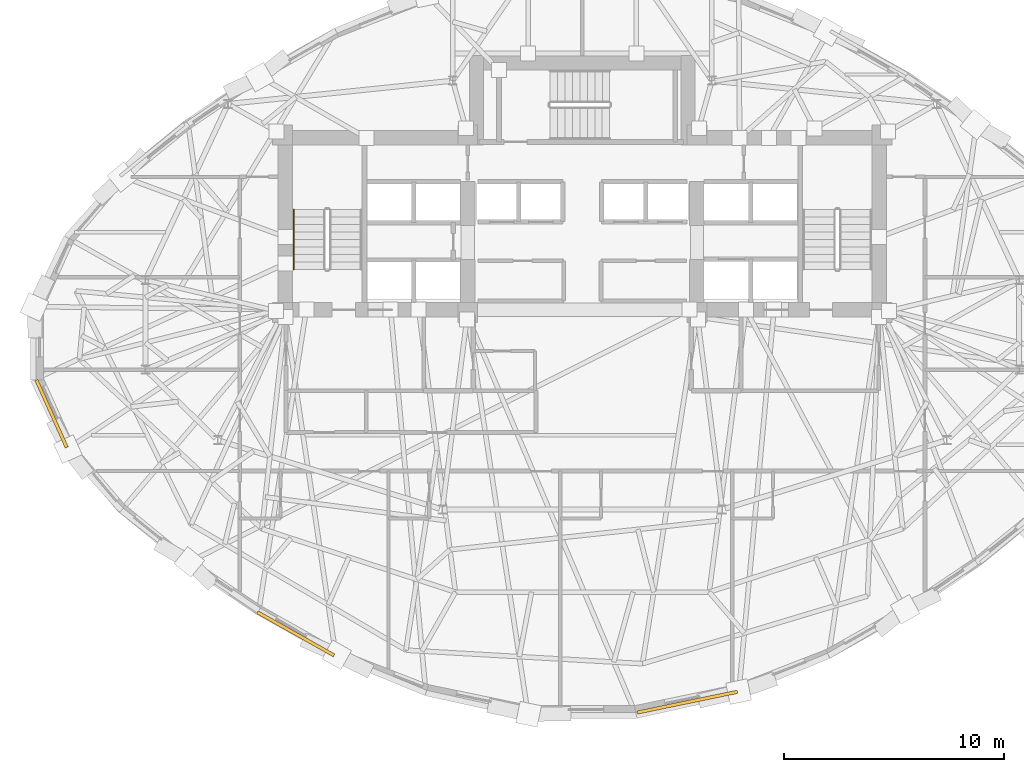
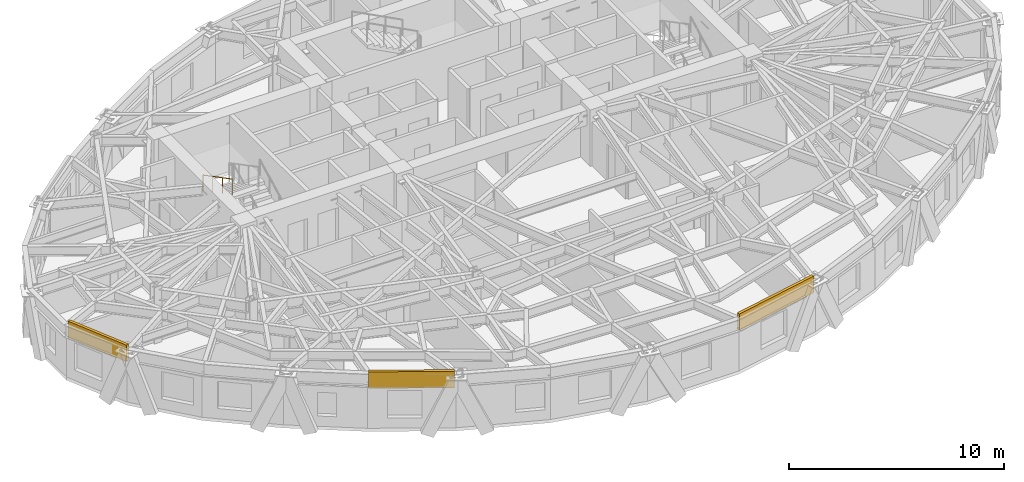
# One storey, part 11 of 14: 3 coverings, 1 railing.
"""IFC4 building model written with IfcOpenShell, lengths in metres."""

from ifc_helpers import new_model, si_unit, direction, frame, origin, origin_2d, place, context, subcontext, project, spatial, rectangle, circle, extrude, material, layer, layer_set, type_object, element, save


model = new_model("IFC4")

# Units and contexts
model_context = context("Model", 3, precision=1e-05, world=origin(), true_north=direction((0.0, 1.0)))
body_context = subcontext(model_context, "Body", "Model", "MODEL_VIEW")
ifc_project = project(units=[si_unit("LENGTHUNIT", "METRE"), si_unit("AREAUNIT", "SQUARE_METRE"), si_unit("VOLUMEUNIT", "CUBIC_METRE"), si_unit("PLANEANGLEUNIT", "RADIAN"), si_unit("MASSUNIT", "GRAM", prefix="KILO")], contexts=[model_context])

# Site, building, storey
site_placement = place(None, origin())
site = spatial("IfcSite", under=ifc_project, at=site_placement, CompositionType="ELEMENT")
building_placement = place(site_placement, origin())
building = spatial("IfcBuilding", under=site, at=building_placement, Name="Keldmark Tower", CompositionType="ELEMENT")
storey_placement = place(building_placement, frame((0.0, 0.0, 182.199951171875)))
storey = spatial("IfcBuildingStorey", under=building, at=storey_placement, Name="L50", CompositionType="ELEMENT", Elevation=182.199951171875)

# Coverings
ifc_material_1 = material(Name="Honed Kasota Buff Dolomitic Limestone", Category="masonry")
ifc_layer = layer(ifc_material_1, 0.074951171875)
ifc_layer_set = layer_set([ifc_layer], Name="Honed Kasota Buff Dolomitic Limestone")
covering_type = type_object("IfcCoveringType", Name="Kasota Buff Limestone Spandrel Cladding Band", PredefinedType="CLADDING", material=ifc_layer_set)
covering_1_placement = place(storey_placement, frame((-24.0869140625, -3.19970703125, 2.239013671875), z_axis=(0.0, 0.0, 1.0), x_axis=(0.410830242296, -0.911711857999, 0.0)))
element("IfcCovering", 1, at=covering_1_placement, inside=storey, type_object=covering_type, Name="L50 Kasota Limestone Spandrel Band 17", PredefinedType="CLADDING", context=body_context, shape_type="SweptSolid", body=[
    extrude(rectangle(XDim=3.351318359375, YDim=0.14990234375, at=origin_2d()), origin(), (0.0, 0.0, 1.0), 0.94091796875),
])
covering_2_placement = place(storey_placement, frame((-13.007080078125, -13.185302734375, 2.239013671875), z_axis=(0.0, 0.0, 1.0), x_axis=(0.87104240031, -0.491207834691, 0.0)))
element("IfcCovering", 2, at=covering_2_placement, inside=storey, type_object=covering_type, Name="L50 Kasota Limestone Spandrel Band 21", PredefinedType="CLADDING", context=body_context, shape_type="SweptSolid", body=[
    extrude(rectangle(XDim=3.99609375, YDim=0.14990234375, at=origin_2d()), origin(), (0.0, 0.0, 1.0), 0.94091796875),
])
covering_3_placement = place(storey_placement, frame((4.764404296875, -16.289306640625, 2.239013671875), z_axis=(0.0, 0.0, 1.0), x_axis=(0.979222810622, 0.202787295357, 0.0)))
element("IfcCovering", 3, at=covering_3_placement, inside=storey, type_object=covering_type, Name="L50 Kasota Limestone Spandrel Band 25", PredefinedType="CLADDING", context=body_context, shape_type="SweptSolid", body=[
    extrude(rectangle(XDim=4.6474609375, YDim=0.14990234375, at=origin_2d()), origin(), (0.0, 0.0, 1.0), 0.94091796875),
])

# Railing
ifc_material_2 = material(Name="Stainless Steel AISI 316L", Category="steel")
railing_type = type_object("IfcRailingType", Name="Stainless Steel Stair Handrail 900 mm", PredefinedType="HANDRAIL", material=ifc_material_2)
railing_placement = place(storey_placement, frame((-13.10009765625, 6.070068359375, 1.77783203125)))
element("IfcRailing", 4, at=railing_placement, inside=storey, type_object=railing_type, Name="L50 ST1 stair handrail 2", PredefinedType="HANDRAIL", context=body_context, shape_type="SweptSolid", body=[
    extrude(circle(Radius=0.02392578125, at=origin_2d()), frame((0.0, 0.0, 0.8759765625), z_axis=(0.0, -0.886183135912, 0.463335137482), x_axis=(1.0, 0.0, 0.0)), (0.0, 0.0, 1.0), 3.0693359375),
    extrude(circle(Radius=0.02099609375, at=origin_2d()), origin(), (0.0, 0.0, 1.0), 0.851806640625),
    extrude(circle(Radius=0.02099609375, at=origin_2d()), frame((0.0, -0.90673828125, 0.47412109375)), (0.0, 0.0, 1.0), 0.851806640625),
    extrude(circle(Radius=0.02099609375, at=origin_2d()), frame((0.0, -1.813232421875, 0.947998046875)), (0.0, 0.0, 1.0), 0.851806640625),
    extrude(circle(Radius=0.02099609375, at=origin_2d()), frame((0.0, -2.719970703125, 1.422119140625)), (0.0, 0.0, 1.0), 0.851806640625),
])

save(model, "model.ifc")
